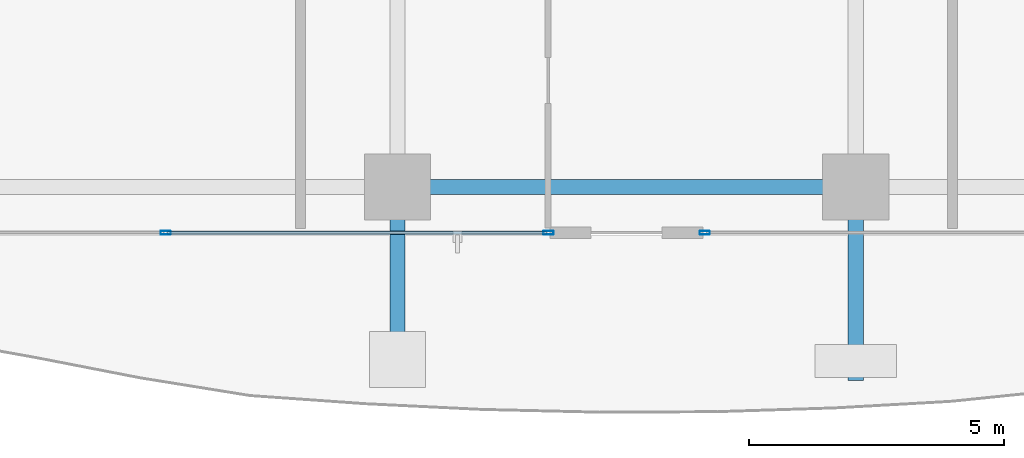
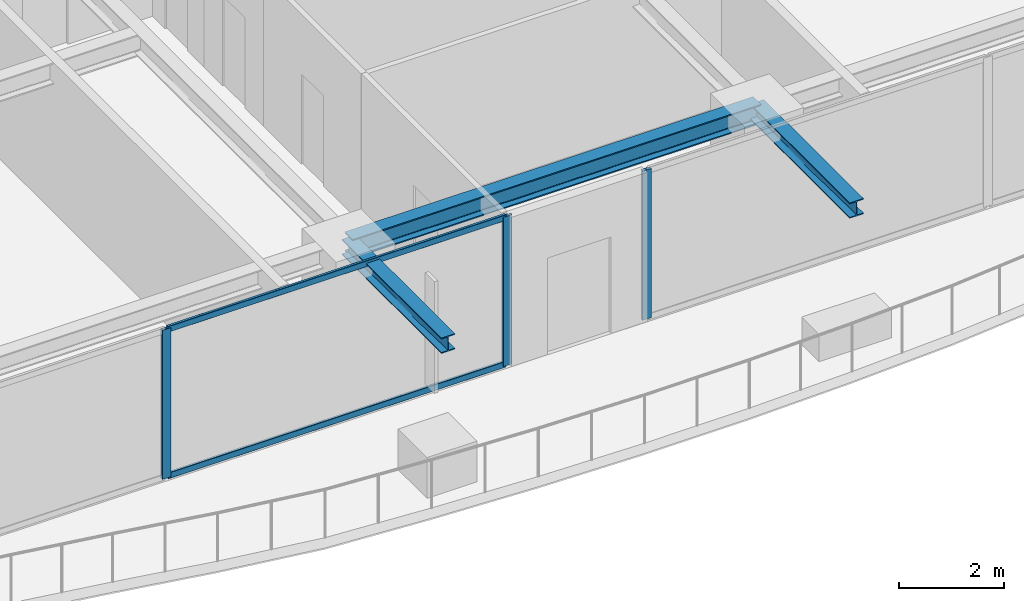
# One storey, part 5 of 35: 5 members, 3 beams, 2 elements without a shape of their own.
"""IFC4 building model written with IfcOpenShell, lengths in metres."""

from ifc_helpers import new_model, si_unit, direction, frame, origin, origin_2d, place, context, subcontext, project, spatial, hollow_rectangle, i_section, extrude, source, transform, mapped, material, layer, layer_set, material_profile, profile_set, type_object, element, aggregate, save


model = new_model("IFC4")

# Units and contexts
model_context = context("Model", 3, precision=1e-05, world=origin(), true_north=direction((0.0, 1.0)))
body_context = subcontext(model_context, "Body", "Model", "MODEL_VIEW")
ifc_project = project(units=[si_unit("LENGTHUNIT", "METRE"), si_unit("AREAUNIT", "SQUARE_METRE"), si_unit("VOLUMEUNIT", "CUBIC_METRE"), si_unit("PLANEANGLEUNIT", "RADIAN"), si_unit("MASSUNIT", "GRAM", prefix="KILO")], contexts=[model_context])

# Site, building, storey
site_placement = place(None, origin())
site = spatial("IfcSite", under=ifc_project, at=site_placement, CompositionType="ELEMENT")
building_placement = place(site_placement, origin())
building = spatial("IfcBuilding", under=site, at=building_placement, Name="Serunith Strait Residences", CompositionType="ELEMENT")
storey_placement = place(building_placement, frame((0.0, 0.0, 157.64990234375)))
storey = spatial("IfcBuildingStorey", under=building, at=storey_placement, Name="L39", CompositionType="ELEMENT", Elevation=157.64990234375)

# Beams
ifc_material_1 = material(Name="Steel S355J2", Category="steel")
ifc_material_profile_1 = material_profile(ifc_material_1, i_section(OverallWidth=0.300048828125, OverallDepth=0.449951171875, WebThickness=0.013916015625, FlangeThickness=0.02587890625, FilletRadius=0.027099609375, at=origin_2d()), Name="HEB 450")
ifc_profile_set_1 = profile_set([ifc_material_profile_1], Name="Steel S355J2")
beam_type_1 = type_object("IfcBeamType", Name="BM-HEB450", PredefinedType="BEAM", material=ifc_profile_set_1)
shared_shape_1 = source(origin(), body_context, "Body", "SweptSolid", [
    extrude(i_section(OverallWidth=0.300048828125, OverallDepth=0.449951171875, WebThickness=0.013916015625, FlangeThickness=0.02587890625, FilletRadius=0.027099609375, at=origin_2d()), origin(), (0.0, 0.0, 1.0), 9.0),
])
beam_placement = place(storey_placement, frame((27.89990234375, 2.300048828125, 3.26220703125), z_axis=(1.0, 0.0, 0.0), x_axis=(0.0, 1.0, 0.0)))
element("IfcBeam", 1, at=beam_placement, inside=storey, type_object=beam_type_1, Name="L39 Perimeter Ring Beam 02", PredefinedType="BEAM", context=body_context, shape_type="MappedRepresentation", body=[
    mapped(shared_shape_1, transform((0.0, 0.0, 0.0), scale=1.0)),
])
ifc_material_profile_2 = material_profile(ifc_material_1, i_section(OverallWidth=0.300048828125, OverallDepth=0.360107421875, WebThickness=0.012451171875, FlangeThickness=0.0224609375, FilletRadius=0.027099609375, at=origin_2d()), Name="HEB 360")
ifc_profile_set_2 = profile_set([ifc_material_profile_2], Name="Steel S355J2")
beam_type_2 = type_object("IfcBeamType", Name="BM-HEB360", PredefinedType="BEAM", material=ifc_profile_set_2)
shared_shape_2 = source(origin(), body_context, "Body", "SweptSolid", [
    extrude(i_section(OverallWidth=0.300048828125, OverallDepth=0.360107421875, WebThickness=0.012451171875, FlangeThickness=0.0224609375, FilletRadius=0.027099609375, at=origin_2d()), origin(), (0.0, 0.0, 1.0), 3.800048828125),
])
for number, where, z_axis, x_axis, name in (
    (2, (27.89990234375, 2.300048828125, 3.277099609375), (0.0, -1.0, 0.0), (1.0, 0.0, 0.0), "L40 Cantilevered Balcony Rib TC-S2"),
    (3, (36.89990234375, 2.300048828125, 3.277099609375), (0.0, -1.0, 0.0), (1.0, 0.0, 0.0), "L40 Cantilevered Balcony Rib TC-S3"),
):
    element("IfcBeam", number, at=place(storey_placement, frame(where, z_axis=z_axis, x_axis=x_axis)), inside=storey, type_object=beam_type_2, Name=name, PredefinedType="BEAM", context=body_context, shape_type="MappedRepresentation", body=[
        mapped(shared_shape_2, transform((0.0, 0.0, 0.0), scale=1.0)),
    ])

# Curtain wall, members
ifc_material_2 = material(Name="Pale-Champagne Anodised Aluminium", Category="aluminium")
ifc_layer = layer(ifc_material_2, 0.199951171875, Name="Pale-Champagne Anodised Aluminium")
ifc_layer_set = layer_set([ifc_layer], Name="Pale-Champagne Anodised Aluminium")
curtain_wall_type = type_object("IfcCurtainWallType", Name="CW-SYS2", PredefinedType="NOTDEFINED", material=ifc_layer_set)
curtain_wall_1_placement = place(storey_placement, origin())
curtain_wall_1 = element("IfcCurtainWall", 4, at=curtain_wall_1_placement, inside=storey, type_object=curtain_wall_type, Name="L39 S Unitised Fritted Curtain Wall", PredefinedType="NOTDEFINED")
ifc_material_profile_3 = material_profile(ifc_material_2, hollow_rectangle(XDim=0.070068359375, YDim=0.199951171875, WallThickness=0.00390625, InnerFilletRadius=0.006103515625, OuterFilletRadius=0.010009765625, at=origin_2d()), Name="ALU 200x70x4")
ifc_profile_set_3 = profile_set([ifc_material_profile_3], Name="Pale-Champagne Anodised Aluminium")
member_type_1 = type_object("IfcMemberType", Name="CW-SYS2-MULL", PredefinedType="MULLION", material=ifc_profile_set_3)
shared_shape_3 = source(origin(), body_context, "Body", "SweptSolid", [
    extrude(hollow_rectangle(XDim=0.070068359375, YDim=0.199951171875, WallThickness=0.00390625, InnerFilletRadius=0.006103515625, OuterFilletRadius=0.010009765625, at=origin_2d()), origin(), (0.0, 0.0, 1.0), 3.47509765625),
])
member_1_placement = place(storey_placement, frame((23.35009765625, 1.39990234375, 0.0), z_axis=(0.0, 0.0, 1.0), x_axis=(0.0, 1.0, 0.0)))
member_1 = element("IfcMember", 5, at=member_1_placement, type_object=member_type_1, Name="CW-2 mullion 2", PredefinedType="MULLION", context=body_context, shape_type="MappedRepresentation", body=[
    mapped(shared_shape_3, transform((0.0, 0.0, 0.0), scale=1.0)),
])
member_2_placement = place(storey_placement, frame((30.864990234375, 1.39990234375, 0.0), z_axis=(0.0, 0.0, 1.0), x_axis=(0.0, 1.0, 0.0)))
member_2 = element("IfcMember", 6, at=member_2_placement, type_object=member_type_1, Name="CW-2 mullion 3", PredefinedType="MULLION", context=body_context, shape_type="MappedRepresentation", body=[
    mapped(shared_shape_3, transform((0.0, 0.0, 0.0), scale=1.0)),
])

# Curtain wall, member
curtain_wall_2_placement = place(storey_placement, origin())
curtain_wall_2 = element("IfcCurtainWall", 7, at=curtain_wall_2_placement, inside=storey, type_object=curtain_wall_type, Name="L39 S Unitised Fritted Curtain Wall", PredefinedType="NOTDEFINED")
member_3_placement = place(storey_placement, frame((33.93505859375, 1.39990234375, 0.0), z_axis=(0.0, 0.0, 1.0), x_axis=(0.0, 1.0, 0.0)))
member_3 = element("IfcMember", 8, at=member_3_placement, type_object=member_type_1, Name="CW-2 mullion 1", PredefinedType="MULLION", context=body_context, shape_type="MappedRepresentation", body=[
    mapped(shared_shape_3, transform((0.0, 0.0, 0.0), scale=1.0)),
])
aggregate(curtain_wall_2, [member_3])

# Member
ifc_material_profile_4 = material_profile(ifc_material_2, hollow_rectangle(XDim=0.06005859375, YDim=0.139892578125, WallThickness=0.00341796875, InnerFilletRadius=0.00537109375, OuterFilletRadius=0.0087890625, at=origin_2d()), Name="ALU 140x60x3.5")
ifc_profile_set_4 = profile_set([ifc_material_profile_4], Name="Pale-Champagne Anodised Aluminium")
member_type_2 = type_object("IfcMemberType", Name="CW-SYS2-TRAN", PredefinedType="USERDEFINED", material=ifc_profile_set_4)
shared_shape_4 = source(origin(), body_context, "Body", "SweptSolid", [
    extrude(hollow_rectangle(XDim=0.06005859375, YDim=0.139892578125, WallThickness=0.00341796875, InnerFilletRadius=0.00537109375, OuterFilletRadius=0.0087890625, at=origin_2d()), origin(), (0.0, 0.0, 1.0), 7.445068359375),
])
member_4_placement = place(storey_placement, frame((23.385009765625, 1.39990234375, 0.030029296875), z_axis=(1.0, 0.0, 0.0), x_axis=(0.0, 1.0, 0.0)))
member_4 = element("IfcMember", 9, at=member_4_placement, type_object=member_type_2, Name="CW-2 transom 2.1", ObjectType="TRANSOM", PredefinedType="USERDEFINED", context=body_context, shape_type="MappedRepresentation", body=[
    mapped(shared_shape_4, transform((0.0, 0.0, 0.0), scale=1.0)),
])

member_5_placement = place(storey_placement, frame((23.385009765625, 1.39990234375, 3.445068359375), z_axis=(1.0, 0.0, 0.0), x_axis=(0.0, 1.0, 0.0)))
member_5 = element("IfcMember", 10, at=member_5_placement, type_object=member_type_2, Name="CW-2 transom 2.2", ObjectType="TRANSOM", PredefinedType="USERDEFINED", context=body_context, shape_type="MappedRepresentation", body=[
    mapped(shared_shape_4, transform((0.0, 0.0, 0.0), scale=1.0)),
])

aggregate(curtain_wall_1, [member_1, member_2, member_4, member_5])

save(model, "model.ifc")
